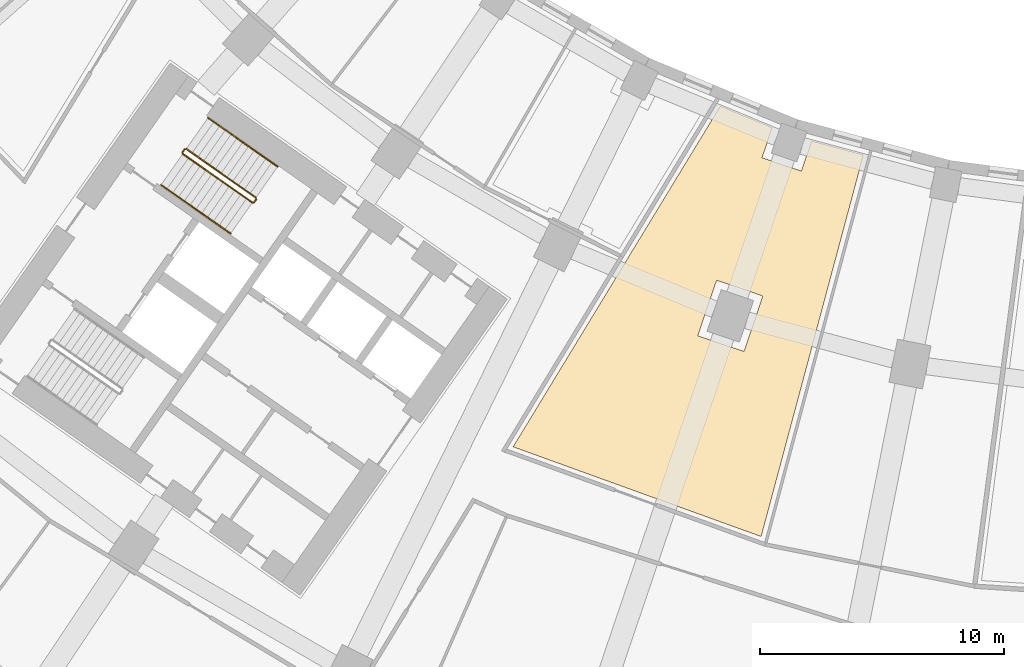
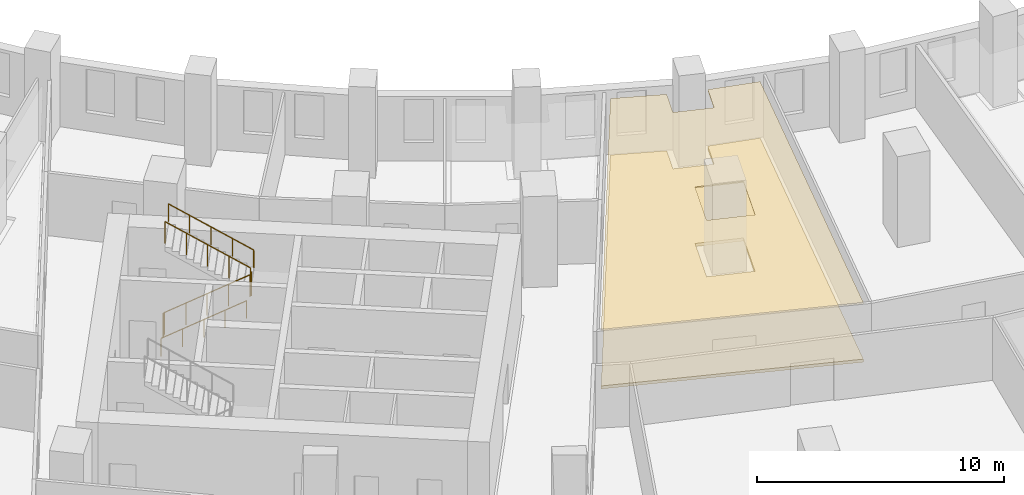
# One storey, part 17 of 20: 5 railings, 2 coverings.
"""IFC4 building model written with IfcOpenShell, lengths in metres."""

from ifc_helpers import new_model, si_unit, direction, frame, origin, origin_2d, place, context, subcontext, project, spatial, polyline, circle, outline, extrude, material, layer, layer_set, type_object, element, save


model = new_model("IFC4")

# Units and contexts
model_context = context("Model", 3, precision=1e-05, world=origin(), true_north=direction((0.0, 1.0)))
body_context = subcontext(model_context, "Body", "Model", "MODEL_VIEW")
ifc_project = project(units=[si_unit("LENGTHUNIT", "METRE"), si_unit("AREAUNIT", "SQUARE_METRE"), si_unit("VOLUMEUNIT", "CUBIC_METRE"), si_unit("PLANEANGLEUNIT", "RADIAN"), si_unit("MASSUNIT", "GRAM", prefix="KILO")], contexts=[model_context])

# Site, building, storey
site_placement = place(None, origin())
site = spatial("IfcSite", under=ifc_project, at=site_placement, CompositionType="ELEMENT")
building_placement = place(site_placement, origin())
building = spatial("IfcBuilding", under=site, at=building_placement, Name="Qamariyya Broadcast Tower", CompositionType="ELEMENT")
storey_placement = place(building_placement, frame((0.0, 0.0, 27.0)))
storey = spatial("IfcBuildingStorey", under=building, at=storey_placement, Name="L03", CompositionType="ELEMENT", Elevation=27.0)

# Covering
ifc_material_1 = material(Name="Raised access floor")
ifc_layer_1 = layer(ifc_material_1, 0.14990234375)
ifc_layer_set_1 = layer_set([ifc_layer_1], Name="Raised access floor 150")
covering_type_1 = type_object("IfcCoveringType", Name="Raised access floor 150", PredefinedType="FLOORING", material=ifc_layer_set_1)
covering_1_placement = place(storey_placement, origin())
element("IfcCovering", 1, at=covering_1_placement, inside=storey, type_object=covering_type_1, Name="Flooring L03-F02", PredefinedType="FLOORING", context=body_context, shape_type="SweptSolid", body=[
    extrude(outline(polyline([(-19.132080078125, -46.566650390625), (-17.004150390625, -47.447998046875), (-17.42333984375, -48.68310546875), (-15.8134765625, -49.2294921875), (-15.394287109375, -47.99462890625), (-13.271240234375, -48.5634765625), (-17.460205078125, -64.196044921875), (-27.6181640625, -60.521728515625), (-19.132080078125, -46.566650390625)]), holes=[polyline([(-20.056396484375, -55.9736328125), (-18.16259765625, -56.616455078125), (-17.39111328125, -54.34375), (-19.28515625, -53.700927734375), (-20.056396484375, -55.9736328125)])]), origin(), (0.0, 0.0, 1.0), 0.14990234375),
])

# Railings
ifc_material_2 = material(Name="Painted steel", Category="steel")
railing_type_1 = type_object("IfcRailingType", Name="Stair guard", PredefinedType="GUARDRAIL", material=ifc_material_2)
railing_1_placement = place(storey_placement, frame((-41.146728515625, -48.52490234375, 0.173095703125)))
element("IfcRailing", 2, at=railing_1_placement, inside=storey, type_object=railing_type_1, Name="L03 ST-W2 stair guard 1", PredefinedType="GUARDRAIL", context=body_context, shape_type="SweptSolid", body=[
    extrude(circle(Radius=0.02392578125, at=origin_2d()), frame((0.0, 0.0, 1.076171875), z_axis=(0.703423072377, -0.49252265477, 0.512462111562), x_axis=(0.573561211868, 0.819162704376, 0.0)), (0.0, 0.0, 1.0), 4.052734375),
    extrude(circle(Radius=0.02392578125, at=origin_2d()), frame((2.850830078125, -1.99609375, 3.15283203125), z_axis=(0.984363469884, 0.176149252506, 0.0), x_axis=(-0.176149252506, 0.984363469884, 0.0)), (0.0, 0.0, 1.0), 0.07080078125),
    extrude(circle(Radius=0.02392578125, at=origin_2d()), frame((2.92041015625, -1.983642578125, 3.15283203125), z_axis=(0.573353020881, 0.819308436089, 0.0), x_axis=(-0.819308436089, 0.573353020881, 0.0)), (0.0, 0.0, 1.0), 0.14990234375),
    extrude(circle(Radius=0.02099609375, at=origin_2d()), origin(), (0.0, 0.0, 1.0), 1.052001953125),
    extrude(circle(Radius=0.02099609375, at=origin_2d()), frame((0.712646484375, -0.4990234375, 0.519287109375)), (0.0, 0.0, 1.0), 1.052001953125),
    extrude(circle(Radius=0.02099609375, at=origin_2d()), frame((1.42529296875, -0.998046875, 1.03857421875)), (0.0, 0.0, 1.0), 1.052001953125),
    extrude(circle(Radius=0.02099609375, at=origin_2d()), frame((2.13818359375, -1.4970703125, 1.5576171875)), (0.0, 0.0, 1.0), 1.052001953125),
    extrude(circle(Radius=0.02099609375, at=origin_2d()), frame((2.850830078125, -1.99609375, 2.076904296875)), (0.0, 0.0, 1.0), 1.052001953125),
    extrude(circle(Radius=0.02099609375, at=origin_2d()), frame((2.92041015625, -1.983642578125, 2.076904296875)), (0.0, 0.0, 1.0), 1.052001953125),
    extrude(circle(Radius=0.02099609375, at=origin_2d()), frame((3.00634765625, -1.86083984375, 2.076904296875)), (0.0, 0.0, 1.0), 1.052001953125),
])
railing_2_placement = place(storey_placement, frame((-38.152587890625, -50.316162109375, 2.423095703125)))
element("IfcRailing", 3, at=railing_2_placement, inside=storey, type_object=railing_type_1, Name="L03 ST-W2 stair guard 2", PredefinedType="GUARDRAIL", context=body_context, shape_type="SweptSolid", body=[
    extrude(circle(Radius=0.02392578125, at=origin_2d()), frame((0.0, 0.0, 1.076171875), z_axis=(-0.703392637411, 0.492543525477, 0.512483827206), x_axis=(-0.573594173421, -0.819139624372, 0.0)), (0.0, 0.0, 1.0), 4.052734375),
    extrude(circle(Radius=0.02099609375, at=origin_2d()), origin(), (0.0, 0.0, 1.0), 1.052001953125),
    extrude(circle(Radius=0.02099609375, at=origin_2d()), frame((-0.712646484375, 0.4990234375, 0.519287109375)), (0.0, 0.0, 1.0), 1.052001953125),
    extrude(circle(Radius=0.02099609375, at=origin_2d()), frame((-1.42529296875, 0.998046875, 1.03857421875)), (0.0, 0.0, 1.0), 1.052001953125),
    extrude(circle(Radius=0.02099609375, at=origin_2d()), frame((-2.137939453125, 1.4970703125, 1.5576171875)), (0.0, 0.0, 1.0), 1.052001953125),
    extrude(circle(Radius=0.02099609375, at=origin_2d()), frame((-2.8505859375, 1.99609375, 2.076904296875)), (0.0, 0.0, 1.0), 1.052001953125),
])
railing_3_placement = place(storey_placement, frame((-41.158935546875, -48.455322265625, 0.0)))
element("IfcRailing", 4, at=railing_3_placement, inside=storey, type_object=railing_type_1, Name="L03 ST-W2 stair guard 3", PredefinedType="GUARDRAIL", context=body_context, shape_type="SweptSolid", body=[
    extrude(circle(Radius=0.02392578125, at=origin_2d()), frame((0.0, 0.0, 1.076171875), z_axis=(0.572588637393, 0.819842821722, 0.0), x_axis=(-0.819842821722, 0.572588637393, 0.0)), (0.0, 0.0, 1.0), 0.150146484375),
    extrude(circle(Radius=0.02099609375, at=origin_2d()), origin(), (0.0, 0.0, 1.0), 1.052001953125),
    extrude(circle(Radius=0.02099609375, at=origin_2d()), frame((0.0859375, 0.123046875, 0.0)), (0.0, 0.0, 1.0), 1.052001953125),
])
ifc_material_3 = material(Name="Stainless steel", Category="steel")
railing_type_2 = type_object("IfcRailingType", Name="Stair handrail", PredefinedType="HANDRAIL", material=ifc_material_3)
railing_4_placement = place(storey_placement, frame((-42.03564453125, -49.79443359375, 0.173095703125)))
element("IfcRailing", 5, at=railing_4_placement, inside=storey, type_object=railing_type_2, Name="L03 ST-W2 stair handrail 1", PredefinedType="HANDRAIL", context=body_context, shape_type="SweptSolid", body=[
    extrude(circle(Radius=0.02392578125, at=origin_2d()), frame((0.0, 0.0, 0.8759765625), z_axis=(0.703392637411, -0.492543525477, 0.512483827206), x_axis=(0.573594173421, 0.819139624372, 0.0)), (0.0, 0.0, 1.0), 4.052734375),
    extrude(circle(Radius=0.02099609375, at=origin_2d()), origin(), (0.0, 0.0, 1.0), 0.851806640625),
    extrude(circle(Radius=0.02099609375, at=origin_2d()), frame((0.712646484375, -0.4990234375, 0.519287109375)), (0.0, 0.0, 1.0), 0.851806640625),
    extrude(circle(Radius=0.02099609375, at=origin_2d()), frame((1.42529296875, -0.998046875, 1.03857421875)), (0.0, 0.0, 1.0), 0.851806640625),
    extrude(circle(Radius=0.02099609375, at=origin_2d()), frame((2.137939453125, -1.4970703125, 1.5576171875)), (0.0, 0.0, 1.0), 0.851806640625),
    extrude(circle(Radius=0.02099609375, at=origin_2d()), frame((2.8505859375, -1.99609375, 2.076904296875)), (0.0, 0.0, 1.0), 0.851806640625),
])
railing_5_placement = place(storey_placement, frame((-37.263671875, -49.04638671875, 2.423095703125)))
element("IfcRailing", 6, at=railing_5_placement, inside=storey, type_object=railing_type_2, Name="L03 ST-W2 stair handrail 2", PredefinedType="HANDRAIL", context=body_context, shape_type="SweptSolid", body=[
    extrude(circle(Radius=0.02392578125, at=origin_2d()), frame((0.0, 0.0, 0.8759765625), z_axis=(-0.703392637411, 0.492543525477, 0.512483827206), x_axis=(-0.573594173421, -0.819139624372, 0.0)), (0.0, 0.0, 1.0), 4.052734375),
    extrude(circle(Radius=0.02099609375, at=origin_2d()), origin(), (0.0, 0.0, 1.0), 0.851806640625),
    extrude(circle(Radius=0.02099609375, at=origin_2d()), frame((-0.712646484375, 0.4990234375, 0.519287109375)), (0.0, 0.0, 1.0), 0.851806640625),
    extrude(circle(Radius=0.02099609375, at=origin_2d()), frame((-1.42529296875, 0.998046875, 1.03857421875)), (0.0, 0.0, 1.0), 0.851806640625),
    extrude(circle(Radius=0.02099609375, at=origin_2d()), frame((-2.137939453125, 1.4970703125, 1.5576171875)), (0.0, 0.0, 1.0), 0.851806640625),
    extrude(circle(Radius=0.02099609375, at=origin_2d()), frame((-2.8505859375, 1.99609375, 2.076904296875)), (0.0, 0.0, 1.0), 0.851806640625),
])

# Covering
ifc_material_4 = material(Name="Perforated plasterboard ceiling")
ifc_layer_2 = layer(ifc_material_4, 0.06005859375)
ifc_layer_set_2 = layer_set([ifc_layer_2], Name="Suspended acoustic ceiling 60")
covering_type_2 = type_object("IfcCoveringType", Name="Suspended acoustic ceiling 60", PredefinedType="CEILING", material=ifc_layer_set_2)
covering_2_placement = place(storey_placement, frame((0.0, 0.0, 2.889892578125)))
element("IfcCovering", 7, at=covering_2_placement, inside=storey, type_object=covering_type_2, Name="Ceiling L03-C03", PredefinedType="CEILING", context=body_context, shape_type="SweptSolid", body=[
    extrude(outline(polyline([(-19.132080078125, -46.566650390625), (-17.004150390625, -47.447998046875), (-17.42333984375, -48.68310546875), (-15.8134765625, -49.2294921875), (-15.394287109375, -47.99462890625), (-13.271240234375, -48.5634765625), (-17.460205078125, -64.196044921875), (-27.6181640625, -60.521728515625), (-19.132080078125, -46.566650390625)]), holes=[polyline([(-20.056396484375, -55.9736328125), (-18.16259765625, -56.616455078125), (-17.39111328125, -54.34375), (-19.28515625, -53.700927734375), (-20.056396484375, -55.9736328125)])]), origin(), (0.0, 0.0, 1.0), 0.06005859375),
])

save(model, "model.ifc")
